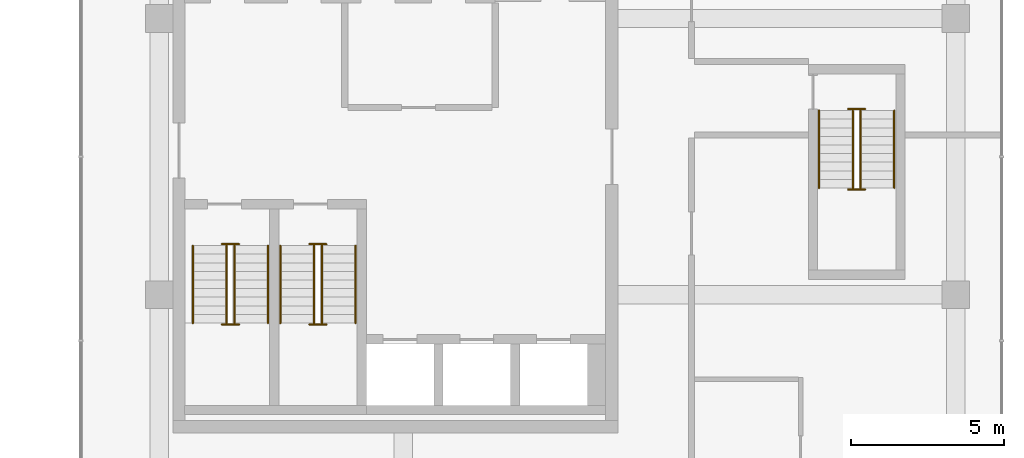
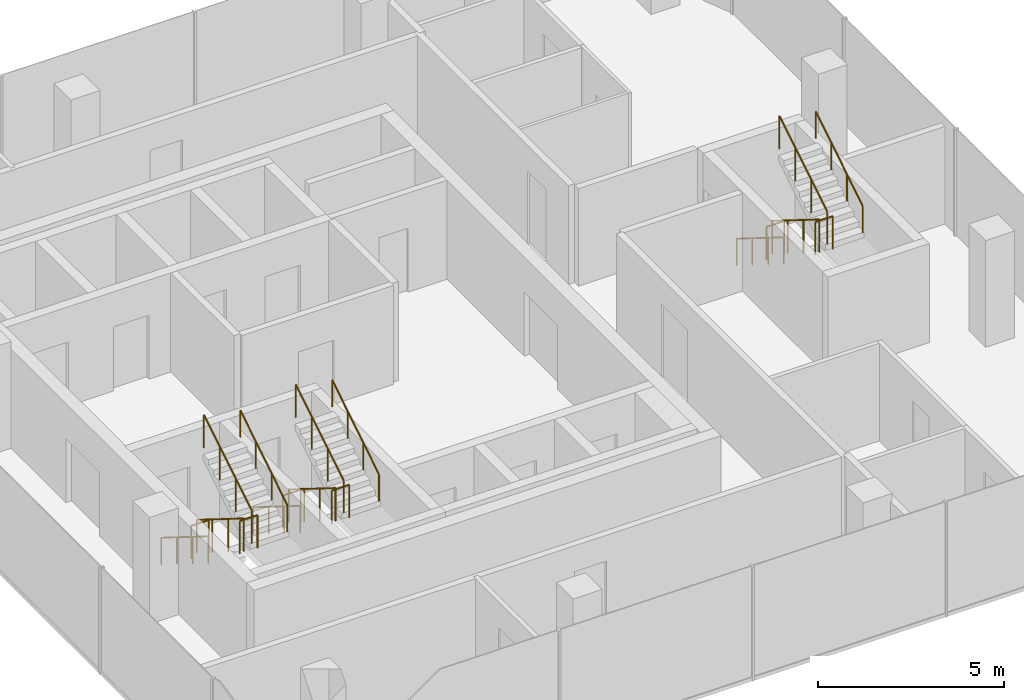
# One storey, part 22 of 22: 18 railings.
"""IFC4 building model written with IfcOpenShell, lengths in metres."""

from ifc_helpers import new_model, si_unit, direction, frame, origin, origin_2d, place, context, subcontext, project, spatial, circle, extrude, material, type_object, element, save


model = new_model("IFC4")

# Units and contexts
model_context = context("Model", 3, precision=1e-05, world=origin(), true_north=direction((0.0, 1.0)))
body_context = subcontext(model_context, "Body", "Model", "MODEL_VIEW")
ifc_project = project(units=[si_unit("LENGTHUNIT", "METRE"), si_unit("AREAUNIT", "SQUARE_METRE"), si_unit("VOLUMEUNIT", "CUBIC_METRE"), si_unit("PLANEANGLEUNIT", "RADIAN"), si_unit("MASSUNIT", "GRAM", prefix="KILO")], contexts=[model_context])

# Site, building, storey
site_placement = place(None, origin())
site = spatial("IfcSite", under=ifc_project, at=site_placement, CompositionType="ELEMENT")
building_placement = place(site_placement, origin())
building = spatial("IfcBuilding", under=site, at=building_placement, Name="Plateau Cross Towers", CompositionType="ELEMENT")
storey_placement = place(building_placement, frame((0.0, 0.0, 113.300048828125)))
storey = spatial("IfcBuildingStorey", under=building, at=storey_placement, Name="L29", CompositionType="ELEMENT", Elevation=113.300048828125)

# Railings
ifc_material_1 = material(Name="Stainless steel and toughened glass", Category="steel")
railing_type_1 = type_object("IfcRailingType", Name="RL-GUARD-1100", PredefinedType="GUARDRAIL", material=ifc_material_1)
railing_1_placement = place(storey_placement, frame((76.75, 6.10009765625, 0.175048828125)))
element("IfcRailing", 1, at=railing_1_placement, inside=storey, type_object=railing_type_1, Name="L29 SB-1 stair guard 1", PredefinedType="GUARDRAIL", context=body_context, shape_type="SweptSolid", body=[
    extrude(circle(Radius=0.02392578125, at=origin_2d()), frame((0.0, 0.0, 1.076171875), z_axis=(0.0, -0.848007534815, 0.529984170421), x_axis=(1.0, 0.0, 0.0)), (0.0, 0.0, 1.0), 2.9716796875),
    extrude(circle(Radius=0.02099609375, at=origin_2d()), origin(), (0.0, 0.0, 1.0), 1.052001953125),
    extrude(circle(Radius=0.02099609375, at=origin_2d()), frame((0.0, -0.840087890625, 0.52490234375)), (0.0, 0.0, 1.0), 1.052001953125),
    extrude(circle(Radius=0.02099609375, at=origin_2d()), frame((0.0, -1.679931640625, 1.050048828125)), (0.0, 0.0, 1.0), 1.052001953125),
    extrude(circle(Radius=0.02099609375, at=origin_2d()), frame((0.0, -2.52001953125, 1.574951171875)), (0.0, 0.0, 1.0), 1.052001953125),
])
railing_2_placement = place(storey_placement, frame((76.60009765625, 3.530029296875, 1.75)))
element("IfcRailing", 2, at=railing_2_placement, inside=storey, type_object=railing_type_1, Name="L29 SB-1 stair guard 2", PredefinedType="GUARDRAIL", context=body_context, shape_type="SweptSolid", body=[
    extrude(circle(Radius=0.02392578125, at=origin_2d()), frame((0.0, 0.0, 1.076171875), z_axis=(1.0, 0.0, 0.0), x_axis=(0.0, 1.0, 0.0)), (0.0, 0.0, 1.0), 0.5498046875),
    extrude(circle(Radius=0.02099609375, at=origin_2d()), origin(), (0.0, 0.0, 1.0), 1.052001953125),
    extrude(circle(Radius=0.02099609375, at=origin_2d()), frame((0.5498046875, 0.0, 0.0)), (0.0, 0.0, 1.0), 1.052001953125),
])
railing_3_placement = place(storey_placement, frame((77.0, 3.580078125, 1.925048828125)))
element("IfcRailing", 3, at=railing_3_placement, inside=storey, type_object=railing_type_1, Name="L29 SB-1 stair guard 3", PredefinedType="GUARDRAIL", context=body_context, shape_type="SweptSolid", body=[
    extrude(circle(Radius=0.02392578125, at=origin_2d()), frame((0.0, 0.0, 1.076171875), z_axis=(0.0, 0.852616386126, 0.522537365276), x_axis=(-1.0, 0.0, 0.0)), (0.0, 0.0, 1.0), 3.01416015625),
    extrude(circle(Radius=0.02099609375, at=origin_2d()), origin(), (0.0, 0.0, 1.0), 1.052001953125),
    extrude(circle(Radius=0.02099609375, at=origin_2d()), frame((0.0, 0.856689453125, 0.52490234375)), (0.0, 0.0, 1.0), 1.052001953125),
    extrude(circle(Radius=0.02099609375, at=origin_2d()), frame((0.0, 1.713134765625, 1.050048828125)), (0.0, 0.0, 1.0), 1.052001953125),
    extrude(circle(Radius=0.02099609375, at=origin_2d()), frame((0.0, 2.56982421875, 1.574951171875)), (0.0, 0.0, 1.0), 1.052001953125),
])
railing_4_placement = place(storey_placement, frame((76.60009765625, 6.14990234375, 0.0)))
element("IfcRailing", 4, at=railing_4_placement, inside=storey, type_object=railing_type_1, Name="L29 SB-1 stair guard 4", PredefinedType="GUARDRAIL", context=body_context, shape_type="SweptSolid", body=[
    extrude(circle(Radius=0.02392578125, at=origin_2d()), frame((0.0, 0.0, 1.076171875), z_axis=(1.0, 0.0, 0.0), x_axis=(0.0, 1.0, 0.0)), (0.0, 0.0, 1.0), 0.5498046875),
    extrude(circle(Radius=0.02099609375, at=origin_2d()), origin(), (0.0, 0.0, 1.0), 1.052001953125),
    extrude(circle(Radius=0.02099609375, at=origin_2d()), frame((0.5498046875, 0.0, 0.0)), (0.0, 0.0, 1.0), 1.052001953125),
])
railing_5_placement = place(storey_placement, frame((79.60009765625, 6.10009765625, 0.175048828125)))
element("IfcRailing", 5, at=railing_5_placement, inside=storey, type_object=railing_type_1, Name="L29 SB-2 stair guard 1", PredefinedType="GUARDRAIL", context=body_context, shape_type="SweptSolid", body=[
    extrude(circle(Radius=0.02392578125, at=origin_2d()), frame((0.0, 0.0, 1.076171875), z_axis=(0.0, -0.848007534815, 0.529984170421), x_axis=(1.0, 0.0, 0.0)), (0.0, 0.0, 1.0), 2.9716796875),
    extrude(circle(Radius=0.02099609375, at=origin_2d()), origin(), (0.0, 0.0, 1.0), 1.052001953125),
    extrude(circle(Radius=0.02099609375, at=origin_2d()), frame((0.0, -0.840087890625, 0.52490234375)), (0.0, 0.0, 1.0), 1.052001953125),
    extrude(circle(Radius=0.02099609375, at=origin_2d()), frame((0.0, -1.679931640625, 1.050048828125)), (0.0, 0.0, 1.0), 1.052001953125),
    extrude(circle(Radius=0.02099609375, at=origin_2d()), frame((0.0, -2.52001953125, 1.574951171875)), (0.0, 0.0, 1.0), 1.052001953125),
])
railing_6_placement = place(storey_placement, frame((79.449951171875, 3.530029296875, 1.75)))
element("IfcRailing", 6, at=railing_6_placement, inside=storey, type_object=railing_type_1, Name="L29 SB-2 stair guard 2", PredefinedType="GUARDRAIL", context=body_context, shape_type="SweptSolid", body=[
    extrude(circle(Radius=0.02392578125, at=origin_2d()), frame((0.0, 0.0, 1.076171875), z_axis=(1.0, 0.0, 0.0), x_axis=(0.0, 1.0, 0.0)), (0.0, 0.0, 1.0), 0.550048828125),
    extrude(circle(Radius=0.02099609375, at=origin_2d()), origin(), (0.0, 0.0, 1.0), 1.052001953125),
    extrude(circle(Radius=0.02099609375, at=origin_2d()), frame((0.550048828125, 0.0, 0.0)), (0.0, 0.0, 1.0), 1.052001953125),
])
railing_7_placement = place(storey_placement, frame((79.85009765625, 3.580078125, 1.925048828125)))
element("IfcRailing", 7, at=railing_7_placement, inside=storey, type_object=railing_type_1, Name="L29 SB-2 stair guard 3", PredefinedType="GUARDRAIL", context=body_context, shape_type="SweptSolid", body=[
    extrude(circle(Radius=0.02392578125, at=origin_2d()), frame((0.0, 0.0, 1.076171875), z_axis=(0.0, 0.852616386126, 0.522537365276), x_axis=(-1.0, 0.0, 0.0)), (0.0, 0.0, 1.0), 3.01416015625),
    extrude(circle(Radius=0.02099609375, at=origin_2d()), origin(), (0.0, 0.0, 1.0), 1.052001953125),
    extrude(circle(Radius=0.02099609375, at=origin_2d()), frame((0.0, 0.856689453125, 0.52490234375)), (0.0, 0.0, 1.0), 1.052001953125),
    extrude(circle(Radius=0.02099609375, at=origin_2d()), frame((0.0, 1.713134765625, 1.050048828125)), (0.0, 0.0, 1.0), 1.052001953125),
    extrude(circle(Radius=0.02099609375, at=origin_2d()), frame((0.0, 2.56982421875, 1.574951171875)), (0.0, 0.0, 1.0), 1.052001953125),
])
railing_8_placement = place(storey_placement, frame((79.449951171875, 6.14990234375, 0.0)))
element("IfcRailing", 8, at=railing_8_placement, inside=storey, type_object=railing_type_1, Name="L29 SB-2 stair guard 4", PredefinedType="GUARDRAIL", context=body_context, shape_type="SweptSolid", body=[
    extrude(circle(Radius=0.02392578125, at=origin_2d()), frame((0.0, 0.0, 1.076171875), z_axis=(1.0, 0.0, 0.0), x_axis=(0.0, 1.0, 0.0)), (0.0, 0.0, 1.0), 0.550048828125),
    extrude(circle(Radius=0.02099609375, at=origin_2d()), origin(), (0.0, 0.0, 1.0), 1.052001953125),
    extrude(circle(Radius=0.02099609375, at=origin_2d()), frame((0.550048828125, 0.0, 0.0)), (0.0, 0.0, 1.0), 1.052001953125),
])
railing_9_placement = place(storey_placement, frame((97.14990234375, 10.5, 0.175048828125)))
element("IfcRailing", 9, at=railing_9_placement, inside=storey, type_object=railing_type_1, Name="L29 SB-3 stair guard 1", PredefinedType="GUARDRAIL", context=body_context, shape_type="SweptSolid", body=[
    extrude(circle(Radius=0.02392578125, at=origin_2d()), frame((0.0, 0.0, 1.076171875), z_axis=(0.0, -0.848007534815, 0.529984170421), x_axis=(1.0, 0.0, 0.0)), (0.0, 0.0, 1.0), 2.9716796875),
    extrude(circle(Radius=0.02099609375, at=origin_2d()), origin(), (0.0, 0.0, 1.0), 1.052001953125),
    extrude(circle(Radius=0.02099609375, at=origin_2d()), frame((0.0, -0.840087890625, 0.52490234375)), (0.0, 0.0, 1.0), 1.052001953125),
    extrude(circle(Radius=0.02099609375, at=origin_2d()), frame((0.0, -1.679931640625, 1.050048828125)), (0.0, 0.0, 1.0), 1.052001953125),
    extrude(circle(Radius=0.02099609375, at=origin_2d()), frame((0.0, -2.52001953125, 1.574951171875)), (0.0, 0.0, 1.0), 1.052001953125),
])
railing_10_placement = place(storey_placement, frame((97.0, 7.929931640625, 1.75)))
element("IfcRailing", 10, at=railing_10_placement, inside=storey, type_object=railing_type_1, Name="L29 SB-3 stair guard 2", PredefinedType="GUARDRAIL", context=body_context, shape_type="SweptSolid", body=[
    extrude(circle(Radius=0.02392578125, at=origin_2d()), frame((0.0, 0.0, 1.076171875), z_axis=(1.0, 0.0, 0.0), x_axis=(0.0, 1.0, 0.0)), (0.0, 0.0, 1.0), 0.550048828125),
    extrude(circle(Radius=0.02099609375, at=origin_2d()), origin(), (0.0, 0.0, 1.0), 1.052001953125),
    extrude(circle(Radius=0.02099609375, at=origin_2d()), frame((0.550048828125, 0.0, 0.0)), (0.0, 0.0, 1.0), 1.052001953125),
])
railing_11_placement = place(storey_placement, frame((97.39990234375, 7.97998046875, 1.925048828125)))
element("IfcRailing", 11, at=railing_11_placement, inside=storey, type_object=railing_type_1, Name="L29 SB-3 stair guard 3", PredefinedType="GUARDRAIL", context=body_context, shape_type="SweptSolid", body=[
    extrude(circle(Radius=0.02392578125, at=origin_2d()), frame((0.0, 0.0, 1.076171875), z_axis=(0.0, 0.852638500773, 0.522501279423), x_axis=(-1.0, 0.0, 0.0)), (0.0, 0.0, 1.0), 3.01416015625),
    extrude(circle(Radius=0.02099609375, at=origin_2d()), origin(), (0.0, 0.0, 1.0), 1.052001953125),
    extrude(circle(Radius=0.02099609375, at=origin_2d()), frame((0.0, 0.856689453125, 0.52490234375)), (0.0, 0.0, 1.0), 1.052001953125),
    extrude(circle(Radius=0.02099609375, at=origin_2d()), frame((0.0, 1.71337890625, 1.050048828125)), (0.0, 0.0, 1.0), 1.052001953125),
    extrude(circle(Radius=0.02099609375, at=origin_2d()), frame((0.0, 2.570068359375, 1.574951171875)), (0.0, 0.0, 1.0), 1.052001953125),
])
railing_12_placement = place(storey_placement, frame((97.0, 10.550048828125, 0.0)))
element("IfcRailing", 12, at=railing_12_placement, inside=storey, type_object=railing_type_1, Name="L29 SB-3 stair guard 4", PredefinedType="GUARDRAIL", context=body_context, shape_type="SweptSolid", body=[
    extrude(circle(Radius=0.02392578125, at=origin_2d()), frame((0.0, 0.0, 1.076171875), z_axis=(1.0, 0.0, 0.0), x_axis=(0.0, 1.0, 0.0)), (0.0, 0.0, 1.0), 0.550048828125),
    extrude(circle(Radius=0.02099609375, at=origin_2d()), origin(), (0.0, 0.0, 1.0), 1.052001953125),
    extrude(circle(Radius=0.02099609375, at=origin_2d()), frame((0.550048828125, 0.0, 0.0)), (0.0, 0.0, 1.0), 1.052001953125),
])
ifc_material_2 = material(Name="Black anodised aluminium", Category="aluminium")
railing_type_2 = type_object("IfcRailingType", Name="RL-HANDRAIL-900", PredefinedType="HANDRAIL", material=ifc_material_2)
railing_13_placement = place(storey_placement, frame((75.64990234375, 6.10009765625, 0.175048828125)))
element("IfcRailing", 13, at=railing_13_placement, inside=storey, type_object=railing_type_2, Name="L29 SB-1 stair handrail 1", PredefinedType="HANDRAIL", context=body_context, shape_type="SweptSolid", body=[
    extrude(circle(Radius=0.02392578125, at=origin_2d()), frame((0.0, 0.0, 0.8759765625), z_axis=(0.0, -0.848007534815, 0.529984170421), x_axis=(1.0, 0.0, 0.0)), (0.0, 0.0, 1.0), 2.9716796875),
    extrude(circle(Radius=0.02099609375, at=origin_2d()), origin(), (0.0, 0.0, 1.0), 0.851806640625),
    extrude(circle(Radius=0.02099609375, at=origin_2d()), frame((0.0, -0.840087890625, 0.52490234375)), (0.0, 0.0, 1.0), 0.851806640625),
    extrude(circle(Radius=0.02099609375, at=origin_2d()), frame((0.0, -1.679931640625, 1.050048828125)), (0.0, 0.0, 1.0), 0.851806640625),
    extrude(circle(Radius=0.02099609375, at=origin_2d()), frame((0.0, -2.52001953125, 1.574951171875)), (0.0, 0.0, 1.0), 0.851806640625),
])
railing_14_placement = place(storey_placement, frame((78.10009765625, 3.580078125, 1.925048828125)))
element("IfcRailing", 14, at=railing_14_placement, inside=storey, type_object=railing_type_2, Name="L29 SB-1 stair handrail 2", PredefinedType="HANDRAIL", context=body_context, shape_type="SweptSolid", body=[
    extrude(circle(Radius=0.02392578125, at=origin_2d()), frame((0.0, 0.0, 0.8759765625), z_axis=(0.0, 0.848007534815, 0.529984170421), x_axis=(-1.0, 0.0, 0.0)), (0.0, 0.0, 1.0), 2.9716796875),
    extrude(circle(Radius=0.02099609375, at=origin_2d()), origin(), (0.0, 0.0, 1.0), 0.851806640625),
    extrude(circle(Radius=0.02099609375, at=origin_2d()), frame((0.0, 0.840087890625, 0.52490234375)), (0.0, 0.0, 1.0), 0.851806640625),
    extrude(circle(Radius=0.02099609375, at=origin_2d()), frame((0.0, 1.679931640625, 1.050048828125)), (0.0, 0.0, 1.0), 0.851806640625),
    extrude(circle(Radius=0.02099609375, at=origin_2d()), frame((0.0, 2.52001953125, 1.574951171875)), (0.0, 0.0, 1.0), 0.851806640625),
])
railing_15_placement = place(storey_placement, frame((78.5, 6.10009765625, 0.175048828125)))
element("IfcRailing", 15, at=railing_15_placement, inside=storey, type_object=railing_type_2, Name="L29 SB-2 stair handrail 1", PredefinedType="HANDRAIL", context=body_context, shape_type="SweptSolid", body=[
    extrude(circle(Radius=0.02392578125, at=origin_2d()), frame((0.0, 0.0, 0.8759765625), z_axis=(0.0, -0.848007534815, 0.529984170421), x_axis=(1.0, 0.0, 0.0)), (0.0, 0.0, 1.0), 2.9716796875),
    extrude(circle(Radius=0.02099609375, at=origin_2d()), origin(), (0.0, 0.0, 1.0), 0.851806640625),
    extrude(circle(Radius=0.02099609375, at=origin_2d()), frame((0.0, -0.840087890625, 0.52490234375)), (0.0, 0.0, 1.0), 0.851806640625),
    extrude(circle(Radius=0.02099609375, at=origin_2d()), frame((0.0, -1.679931640625, 1.050048828125)), (0.0, 0.0, 1.0), 0.851806640625),
    extrude(circle(Radius=0.02099609375, at=origin_2d()), frame((0.0, -2.52001953125, 1.574951171875)), (0.0, 0.0, 1.0), 0.851806640625),
])
railing_16_placement = place(storey_placement, frame((80.949951171875, 3.580078125, 1.925048828125)))
element("IfcRailing", 16, at=railing_16_placement, inside=storey, type_object=railing_type_2, Name="L29 SB-2 stair handrail 2", PredefinedType="HANDRAIL", context=body_context, shape_type="SweptSolid", body=[
    extrude(circle(Radius=0.02392578125, at=origin_2d()), frame((0.0, 0.0, 0.8759765625), z_axis=(0.0, 0.848007534815, 0.529984170421), x_axis=(-1.0, 0.0, 0.0)), (0.0, 0.0, 1.0), 2.9716796875),
    extrude(circle(Radius=0.02099609375, at=origin_2d()), origin(), (0.0, 0.0, 1.0), 0.851806640625),
    extrude(circle(Radius=0.02099609375, at=origin_2d()), frame((0.0, 0.840087890625, 0.52490234375)), (0.0, 0.0, 1.0), 0.851806640625),
    extrude(circle(Radius=0.02099609375, at=origin_2d()), frame((0.0, 1.679931640625, 1.050048828125)), (0.0, 0.0, 1.0), 0.851806640625),
    extrude(circle(Radius=0.02099609375, at=origin_2d()), frame((0.0, 2.52001953125, 1.574951171875)), (0.0, 0.0, 1.0), 0.851806640625),
])
railing_17_placement = place(storey_placement, frame((96.050048828125, 10.5, 0.175048828125)))
element("IfcRailing", 17, at=railing_17_placement, inside=storey, type_object=railing_type_2, Name="L29 SB-3 stair handrail 1", PredefinedType="HANDRAIL", context=body_context, shape_type="SweptSolid", body=[
    extrude(circle(Radius=0.02392578125, at=origin_2d()), frame((0.0, 0.0, 0.8759765625), z_axis=(0.0, -0.848007534815, 0.529984170421), x_axis=(1.0, 0.0, 0.0)), (0.0, 0.0, 1.0), 2.9716796875),
    extrude(circle(Radius=0.02099609375, at=origin_2d()), origin(), (0.0, 0.0, 1.0), 0.851806640625),
    extrude(circle(Radius=0.02099609375, at=origin_2d()), frame((0.0, -0.840087890625, 0.52490234375)), (0.0, 0.0, 1.0), 0.851806640625),
    extrude(circle(Radius=0.02099609375, at=origin_2d()), frame((0.0, -1.679931640625, 1.050048828125)), (0.0, 0.0, 1.0), 0.851806640625),
    extrude(circle(Radius=0.02099609375, at=origin_2d()), frame((0.0, -2.52001953125, 1.574951171875)), (0.0, 0.0, 1.0), 0.851806640625),
])
railing_18_placement = place(storey_placement, frame((98.5, 7.97998046875, 1.925048828125)))
element("IfcRailing", 18, at=railing_18_placement, inside=storey, type_object=railing_type_2, Name="L29 SB-3 stair handrail 2", PredefinedType="HANDRAIL", context=body_context, shape_type="SweptSolid", body=[
    extrude(circle(Radius=0.02392578125, at=origin_2d()), frame((0.0, 0.0, 0.8759765625), z_axis=(0.0, 0.848007534815, 0.529984170421), x_axis=(-1.0, 0.0, 0.0)), (0.0, 0.0, 1.0), 2.9716796875),
    extrude(circle(Radius=0.02099609375, at=origin_2d()), origin(), (0.0, 0.0, 1.0), 0.851806640625),
    extrude(circle(Radius=0.02099609375, at=origin_2d()), frame((0.0, 0.840087890625, 0.52490234375)), (0.0, 0.0, 1.0), 0.851806640625),
    extrude(circle(Radius=0.02099609375, at=origin_2d()), frame((0.0, 1.679931640625, 1.050048828125)), (0.0, 0.0, 1.0), 0.851806640625),
    extrude(circle(Radius=0.02099609375, at=origin_2d()), frame((0.0, 2.52001953125, 1.574951171875)), (0.0, 0.0, 1.0), 0.851806640625),
])

save(model, "model.ifc")
